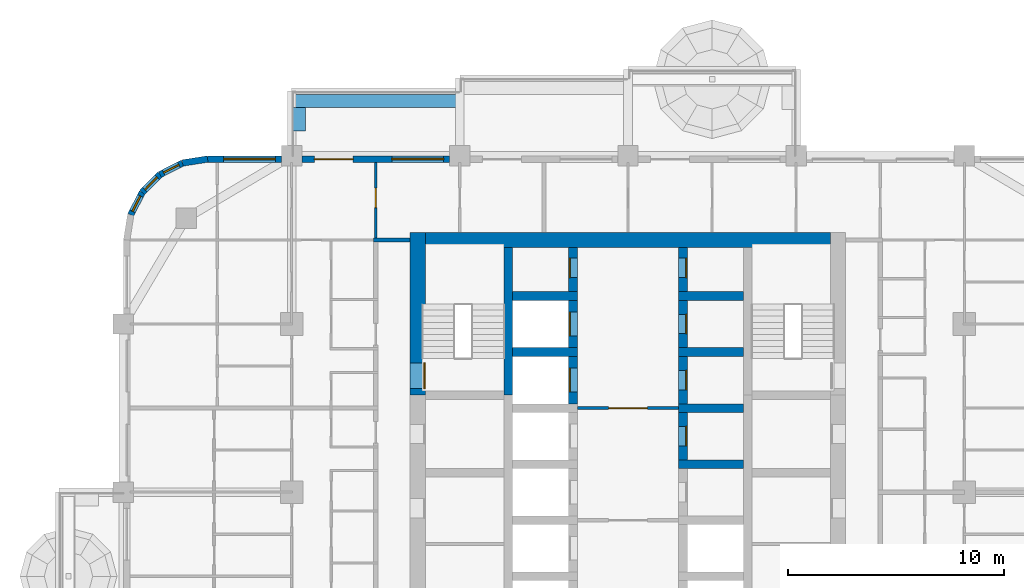
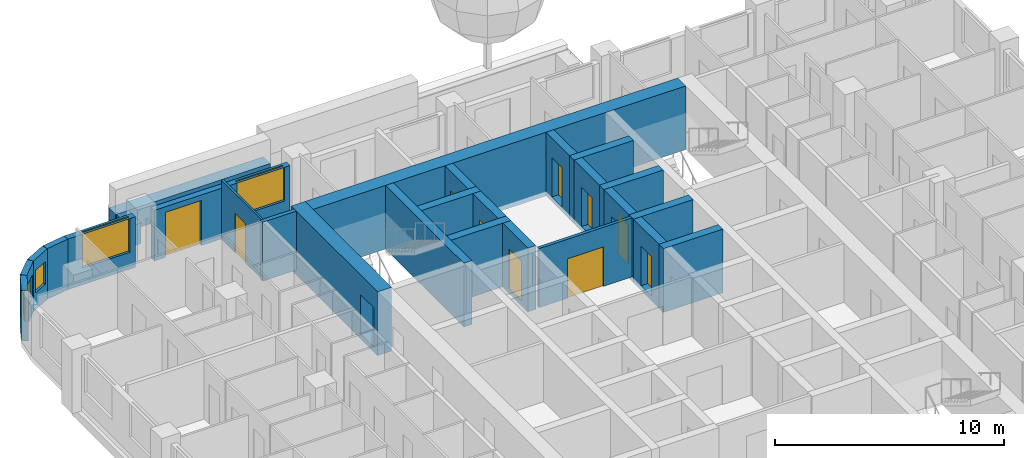
# One storey, part 11 of 18: 27 walls, 11 doors, 5 windows, 16 openings.
"""IFC4 building model written with IfcOpenShell, lengths in metres."""

from ifc_helpers import new_model, si_unit, direction, frame, frame_2d, origin, place, context, subcontext, project, spatial, rectangle, extrude, material, layer, layer_set, type_object, element, fill, save


model = new_model("IFC4")

# Units and contexts
model_context = context("Model", 3, precision=1e-05, world=origin(), true_north=direction((0.0, 1.0)))
body_context = subcontext(model_context, "Body", "Model", "MODEL_VIEW")
ifc_project = project(units=[si_unit("LENGTHUNIT", "METRE"), si_unit("AREAUNIT", "SQUARE_METRE"), si_unit("VOLUMEUNIT", "CUBIC_METRE"), si_unit("PLANEANGLEUNIT", "RADIAN"), si_unit("MASSUNIT", "GRAM", prefix="KILO")], contexts=[model_context])

# Site, building, storey
site_placement = place(None, origin())
site = spatial("IfcSite", under=ifc_project, at=site_placement, CompositionType="ELEMENT")
building_placement = place(site_placement, origin())
building = spatial("IfcBuilding", under=site, at=building_placement, Name="Ludao Terraces", CompositionType="ELEMENT")
storey_placement = place(building_placement, frame((0.0, 0.0, 58.0)))
storey = spatial("IfcBuildingStorey", under=building, at=storey_placement, Name="L15", CompositionType="ELEMENT", Elevation=58.0)

# Wall, opening, door
ifc_material_1 = material(Name="Concrete C70", Category="concrete")
ifc_layer_1 = layer(ifc_material_1, 0.699951171875)
ifc_layer_set_1 = layer_set([ifc_layer_1], Name="Core wall 700 C70")
wall_type_1 = type_object("IfcWallType", Name="Core wall 700 C70", PredefinedType="SOLIDWALL", material=ifc_layer_set_1)
wall_1_placement = place(storey_placement, frame((75.25, 77.300048828125, -0.25), z_axis=(0.0, 0.0, 1.0), x_axis=(0.0, 1.0, 0.0)))
wall_1 = element("IfcWall", 1, at=wall_1_placement, inside=storey, type_object=wall_type_1, Name="Core wall L15 outer-W-S1", PredefinedType="SOLIDWALL", context=body_context, shape_type="SweptSolid", body=[
    extrude(rectangle(XDim=7.550048828125, YDim=0.699951171875, at=frame_2d((3.77490234375, 0.0))), origin(), (0.0, 0.0, 1.0), 3.39990234375),
])
opening_1_placement = place(wall_1_placement, frame((0.300048828125, 0.0, 0.25)))
opening_1 = element("IfcOpeningElement", 2, at=opening_1_placement, cuts=wall_1, Name="Opening R04-131", PredefinedType="OPENING", context=body_context, shape_type="SweptSolid", body=[
    extrude(rectangle(XDim=1.199951171875, YDim=2.10009765625, at=frame_2d((0.60009765625, 1.050048828125))), frame((0.0, 0.35986328125, 0.0), z_axis=(0.0, -1.0, 0.0), x_axis=(1.0, 0.0, 0.0)), (0.0, 0.0, 1.0), 0.719970703125),
])
ifc_material_2 = material(Name="Steel Q235", Category="steel")
door_type_1 = type_object("IfcDoorType", Name="INT Stair door 1200", OperationType="DOUBLE_DOOR_SINGLE_SWING", PredefinedType="DOOR", material=ifc_material_2)
door_1_placement = place(opening_1_placement, origin())
door_1 = element("IfcDoor", 3, at=door_1_placement, inside=storey, type_object=door_type_1, Name="DOOR 131", OperationType="DOUBLE_DOOR_SINGLE_SWING", OverallHeight=2.10009765625, OverallWidth=1.199951171875, PredefinedType="DOOR", context=body_context, shape_type="SweptSolid", body=[
    extrude(rectangle(XDim=1.199951171875, YDim=2.10009765625, at=frame_2d((0.60009765625, 1.050048828125))), frame((0.0, -0.28515625, 0.0), z_axis=(0.0, -1.0, 0.0), x_axis=(1.0, 0.0, 0.0)), (0.0, 0.0, 1.0), 0.050048828125),
])
fill(opening_1, door_1)

# Walls
wall_2_placement = place(storey_placement, frame((75.60009765625, 84.5, -0.25), z_axis=(0.0, 0.0, 1.0), x_axis=(1.0, 0.0, 0.0)))
element("IfcWall", 4, at=wall_2_placement, inside=storey, type_object=wall_type_1, Name="Core wall L15 outer-N", PredefinedType="SOLIDWALL", context=body_context, shape_type="SweptSolid", body=[
    extrude(rectangle(XDim=18.7998046875, YDim=0.699951171875, at=frame_2d((9.39990234375, 0.0))), origin(), (0.0, 0.0, 1.0), 3.39990234375),
])
ifc_material_3 = material(Name="Concrete C40", Category="concrete")
ifc_layer_2 = layer(ifc_material_3, 0.60009765625)
ifc_layer_set_2 = layer_set([ifc_layer_2], Name="ENV Planter trough 600")
wall_type_2 = type_object("IfcWallType", Name="ENV Planter trough 600", PredefinedType="USERDEFINED", material=ifc_layer_set_2)
wall_3_placement = place(storey_placement, frame((69.39990234375, 90.949951171875, 0.0), z_axis=(0.0, 0.0, 1.0), x_axis=(1.0, 0.0, 0.0)))
element("IfcWall", 5, at=wall_3_placement, inside=storey, type_object=wall_type_2, Name="PL-L15-N1", ObjectType="PLANTER", PredefinedType="USERDEFINED", context=body_context, shape_type="SweptSolid", body=[
    extrude(rectangle(XDim=7.800048828125, YDim=0.60009765625, at=frame_2d((3.89990234375, 0.0))), origin(), (0.0, 0.0, 1.0), 1.10009765625),
])
wall_4_placement = place(storey_placement, frame((69.75, 90.64990234375, 0.0), z_axis=(0.0, 0.0, 1.0), x_axis=(0.0, -1.0, 0.0)))
element("IfcWall", 6, at=wall_4_placement, inside=storey, type_object=wall_type_2, Name="PL-L15-N1-SA", ObjectType="PLANTER", PredefinedType="USERDEFINED", context=body_context, shape_type="SweptSolid", body=[
    extrude(rectangle(XDim=1.099853515625, YDim=0.60009765625, at=frame_2d((0.5498046875, 0.0))), origin(), (0.0, 0.0, 1.0), 1.10009765625),
])

# Wall, opening, window
ifc_material_4 = material(Name="Granite cladding", Category="masonry")
ifc_layer_3 = layer(ifc_material_4, 0.0400390625, Category="stone")
ifc_material_5 = material(Name="Mineral wool")
ifc_layer_4 = layer(ifc_material_5, 0.06005859375)
ifc_layer_5 = layer(ifc_material_3, 0.199951171875, Category="concrete")
ifc_layer_set_3 = layer_set([ifc_layer_3, ifc_layer_4, ifc_layer_5], Name="ENV Stone-clad wall 300")
wall_type_3 = type_object("IfcWallType", Name="ENV Stone-clad wall 300", PredefinedType="SOLIDWALL", material=ifc_layer_set_3)
wall_5_placement = place(storey_placement, frame((65.5, 88.25, 0.0), z_axis=(0.0, 0.0, 1.0), x_axis=(1.0, 0.0, 0.0)))
wall_5 = element("IfcWall", 7, at=wall_5_placement, inside=storey, type_object=wall_type_3, Name="EW-L15-N1", PredefinedType="SOLIDWALL", context=body_context, shape_type="SweptSolid", body=[
    extrude(rectangle(XDim=3.425048828125, YDim=0.300048828125, at=frame_2d((1.71240234375, 0.0))), origin(), (0.0, 0.0, 1.0), 2.699951171875),
])
opening_2_placement = place(wall_5_placement, frame((0.75, 0.0, 0.89990234375)))
opening_2 = element("IfcOpeningElement", 8, at=opening_2_placement, cuts=wall_5, Name="Opening W1", PredefinedType="OPENING", context=body_context, shape_type="SweptSolid", body=[
    extrude(rectangle(XDim=2.39990234375, YDim=1.800048828125, at=frame_2d((1.199951171875, 0.89990234375))), frame((0.0, 0.16015625, 0.0), z_axis=(0.0, -1.0, 0.0), x_axis=(1.0, 0.0, 0.0)), (0.0, 0.0, 1.0), 0.320068359375),
])
ifc_material_6 = material(Name="Clear glass in aluminium frame", Category="aluminium")
ifc_layer_6 = layer(ifc_material_6, 0.06005859375)
ifc_layer_set_4 = layer_set([ifc_layer_6], Name="ENV Window W1 2400x1800")
window_type_1 = type_object("IfcWindowType", Name="ENV Window W1 2400x1800", PartitioningType="DOUBLE_PANEL_VERTICAL", PredefinedType="WINDOW", material=ifc_layer_set_4)
window_1_placement = place(opening_2_placement, origin())
window_1 = element("IfcWindow", 9, at=window_1_placement, inside=storey, type_object=window_type_1, Name="W-L15-N1-1", OverallHeight=1.800048828125, OverallWidth=2.39990234375, PartitioningType="DOUBLE_PANEL_VERTICAL", PredefinedType="WINDOW", context=body_context, shape_type="SweptSolid", body=[
    extrude(rectangle(XDim=2.39990234375, YDim=1.800048828125, at=frame_2d((1.199951171875, 0.89990234375))), frame((0.0, 0.030029296875, 0.0), z_axis=(0.0, -1.0, 0.0), x_axis=(1.0, 0.0, 0.0)), (0.0, 0.0, 1.0), 0.06005859375),
])
fill(opening_2, window_1)

# Wall, openings, door, window
wall_6_placement = place(storey_placement, frame((69.875, 88.25, 0.0), z_axis=(0.0, 0.0, 1.0), x_axis=(1.0, 0.0, 0.0)))
wall_6 = element("IfcWall", 10, at=wall_6_placement, inside=storey, type_object=wall_type_3, Name="EW-L15-N2", PredefinedType="SOLIDWALL", context=body_context, shape_type="SweptSolid", body=[
    extrude(rectangle(XDim=6.85009765625, YDim=0.300048828125, at=frame_2d((3.425048828125, 0.0))), origin(), (0.0, 0.0, 1.0), 2.699951171875),
])
opening_3_placement = place(wall_6_placement, frame((0.574951171875, 0.0, 0.0)))
opening_3 = element("IfcOpeningElement", 11, at=opening_3_placement, cuts=wall_6, Name="Opening BD", PredefinedType="OPENING", context=body_context, shape_type="SweptSolid", body=[
    extrude(rectangle(XDim=1.800048828125, YDim=2.39990234375, at=frame_2d((0.89990234375, 1.199951171875))), frame((0.0, 0.16015625, 0.0), z_axis=(0.0, -1.0, 0.0), x_axis=(1.0, 0.0, 0.0)), (0.0, 0.0, 1.0), 0.320068359375),
])
opening_4_placement = place(wall_6_placement, frame((4.175048828125, 0.0, 0.89990234375)))
opening_4 = element("IfcOpeningElement", 12, at=opening_4_placement, cuts=wall_6, Name="Opening W1", PredefinedType="OPENING", context=body_context, shape_type="SweptSolid", body=[
    extrude(rectangle(XDim=2.39990234375, YDim=1.800048828125, at=frame_2d((1.199951171875, 0.89990234375))), frame((0.0, 0.16015625, 0.0), z_axis=(0.0, -1.0, 0.0), x_axis=(1.0, 0.0, 0.0)), (0.0, 0.0, 1.0), 0.320068359375),
])
ifc_material_7 = material(Name="Aluminium glazed door", Category="aluminium")
ifc_layer_7 = layer(ifc_material_7, 0.06005859375)
ifc_layer_set_5 = layer_set([ifc_layer_7], Name="ENV Balcony door BD 1800x2400")
door_type_2 = type_object("IfcDoorType", Name="ENV Balcony door BD 1800x2400", OperationType="DOUBLE_DOOR_SINGLE_SWING", PredefinedType="DOOR", material=ifc_layer_set_5)
door_2_placement = place(opening_3_placement, origin())
door_2 = element("IfcDoor", 13, at=door_2_placement, inside=storey, type_object=door_type_2, Name="BD-L15-N2-1", OperationType="DOUBLE_DOOR_SINGLE_SWING", OverallHeight=2.39990234375, OverallWidth=1.800048828125, PredefinedType="DOOR", context=body_context, shape_type="SweptSolid", body=[
    extrude(rectangle(XDim=1.800048828125, YDim=2.39990234375, at=frame_2d((0.89990234375, 1.199951171875))), frame((0.0, 0.02490234375, 0.0), z_axis=(0.0, -1.0, 0.0), x_axis=(1.0, 0.0, 0.0)), (0.0, 0.0, 1.0), 0.050048828125),
])
fill(opening_3, door_2)
window_2_placement = place(opening_4_placement, origin())
window_2 = element("IfcWindow", 14, at=window_2_placement, inside=storey, type_object=window_type_1, Name="W-L15-N2-2", OverallHeight=1.800048828125, OverallWidth=2.39990234375, PartitioningType="DOUBLE_PANEL_VERTICAL", PredefinedType="WINDOW", context=body_context, shape_type="SweptSolid", body=[
    extrude(rectangle(XDim=2.39990234375, YDim=1.800048828125, at=frame_2d((1.199951171875, 0.89990234375))), frame((0.0, 0.030029296875, 0.0), z_axis=(0.0, -1.0, 0.0), x_axis=(1.0, 0.0, 0.0)), (0.0, 0.0, 1.0), 0.06005859375),
])
fill(opening_4, window_2)

# Wall
wall_7_placement = place(storey_placement, frame((65.5, 88.25, 0.0), z_axis=(0.0, 0.0, 1.0), x_axis=(-0.987678452879, -0.156496880861, 0.0)))
element("IfcWall", 15, at=wall_7_placement, inside=storey, type_object=wall_type_3, Name="EW-L15-NW1", PredefinedType="SOLIDWALL", context=body_context, shape_type="SweptSolid", body=[
    extrude(rectangle(XDim=1.173095703125, YDim=0.300048828125, at=frame_2d((0.58642578125, 0.0))), origin(), (0.0, 0.0, 1.0), 2.699951171875),
])

# Wall, opening, window
wall_8_placement = place(storey_placement, frame((64.34130859375, 88.06640625, 0.0), z_axis=(0.0, 0.0, 1.0), x_axis=(-0.890988677504, -0.454025524128, 0.0)))
wall_8 = element("IfcWall", 16, at=wall_8_placement, inside=storey, type_object=wall_type_3, Name="EW-L15-NW2", PredefinedType="SOLIDWALL", context=body_context, shape_type="SweptSolid", body=[
    extrude(rectangle(XDim=1.17333984375, YDim=0.300048828125, at=frame_2d((0.586669921875, 0.0))), origin(), (0.0, 0.0, 1.0), 2.699951171875),
])
opening_5_placement = place(wall_8_placement, frame((0.1865234375, 0.0, 0.89990234375)))
opening_5 = element("IfcOpeningElement", 17, at=opening_5_placement, cuts=wall_8, Name="Opening W3", PredefinedType="OPENING", context=body_context, shape_type="SweptSolid", body=[
    extrude(rectangle(XDim=0.800048828125, YDim=1.199951171875, at=frame_2d((0.39990234375, 0.60009765625))), frame((0.0, 0.16015625, 0.0), z_axis=(0.0, -1.0, 0.0), x_axis=(1.0, 0.0, 0.0)), (0.0, 0.0, 1.0), 0.320068359375),
])
ifc_layer_8 = layer(ifc_material_6, 0.06005859375)
ifc_layer_set_6 = layer_set([ifc_layer_8], Name="ENV Window W3 800x1200")
window_type_2 = type_object("IfcWindowType", Name="ENV Window W3 800x1200", PartitioningType="SINGLE_PANEL", PredefinedType="WINDOW", material=ifc_layer_set_6)
window_3_placement = place(opening_5_placement, origin())
window_3 = element("IfcWindow", 18, at=window_3_placement, inside=storey, type_object=window_type_2, Name="W-L15-NW2", OverallHeight=1.199951171875, OverallWidth=0.800048828125, PartitioningType="SINGLE_PANEL", PredefinedType="WINDOW", context=body_context, shape_type="SweptSolid", body=[
    extrude(rectangle(XDim=0.800048828125, YDim=1.199951171875, at=frame_2d((0.39990234375, 0.60009765625))), frame((0.0, 0.030029296875, 0.0), z_axis=(0.0, -1.0, 0.0), x_axis=(1.0, 0.0, 0.0)), (0.0, 0.0, 1.0), 0.06005859375),
])
fill(opening_5, window_3)

wall_9_placement = place(storey_placement, frame((63.2958984375, 87.53369140625, 0.0), z_axis=(0.0, 0.0, 1.0), x_axis=(-0.707106781187, -0.707106781187, 0.0)))
wall_9 = element("IfcWall", 19, at=wall_9_placement, inside=storey, type_object=wall_type_3, Name="EW-L15-NW3", PredefinedType="SOLIDWALL", context=body_context, shape_type="SweptSolid", body=[
    extrude(rectangle(XDim=1.173095703125, YDim=0.300048828125, at=frame_2d((0.58642578125, 0.0))), origin(), (0.0, 0.0, 1.0), 2.699951171875),
])
opening_6_placement = place(wall_9_placement, frame((0.1865234375, 0.0, 0.89990234375)))
opening_6 = element("IfcOpeningElement", 20, at=opening_6_placement, cuts=wall_9, Name="Opening W3", PredefinedType="OPENING", context=body_context, shape_type="SweptSolid", body=[
    extrude(rectangle(XDim=0.800048828125, YDim=1.199951171875, at=frame_2d((0.39990234375, 0.60009765625))), frame((0.0, 0.16015625, 0.0), z_axis=(0.0, -1.0, 0.0), x_axis=(1.0, 0.0, 0.0)), (0.0, 0.0, 1.0), 0.320068359375),
])
window_4_placement = place(opening_6_placement, origin())
window_4 = element("IfcWindow", 21, at=window_4_placement, inside=storey, type_object=window_type_2, Name="W-L15-NW3", OverallHeight=1.199951171875, OverallWidth=0.800048828125, PartitioningType="SINGLE_PANEL", PredefinedType="WINDOW", context=body_context, shape_type="SweptSolid", body=[
    extrude(rectangle(XDim=0.800048828125, YDim=1.199951171875, at=frame_2d((0.39990234375, 0.60009765625))), frame((0.0, 0.030029296875, 0.0), z_axis=(0.0, -1.0, 0.0), x_axis=(1.0, 0.0, 0.0)), (0.0, 0.0, 1.0), 0.06005859375),
])
fill(opening_6, window_4)

wall_10_placement = place(storey_placement, frame((62.46630859375, 86.7041015625, 0.0), z_axis=(0.0, 0.0, 1.0), x_axis=(-0.454025524128, -0.890988677504, 0.0)))
wall_10 = element("IfcWall", 22, at=wall_10_placement, inside=storey, type_object=wall_type_3, Name="EW-L15-NW4", PredefinedType="SOLIDWALL", context=body_context, shape_type="SweptSolid", body=[
    extrude(rectangle(XDim=1.17333984375, YDim=0.300048828125, at=frame_2d((0.586669921875, 0.0))), origin(), (0.0, 0.0, 1.0), 2.699951171875),
])
opening_7_placement = place(wall_10_placement, frame((0.1865234375, 0.0, 0.89990234375)))
opening_7 = element("IfcOpeningElement", 23, at=opening_7_placement, cuts=wall_10, Name="Opening W3", PredefinedType="OPENING", context=body_context, shape_type="SweptSolid", body=[
    extrude(rectangle(XDim=0.800048828125, YDim=1.199951171875, at=frame_2d((0.39990234375, 0.60009765625))), frame((0.0, 0.16015625, 0.0), z_axis=(0.0, -1.0, 0.0), x_axis=(1.0, 0.0, 0.0)), (0.0, 0.0, 1.0), 0.320068359375),
])
window_5_placement = place(opening_7_placement, origin())
window_5 = element("IfcWindow", 24, at=window_5_placement, inside=storey, type_object=window_type_2, Name="W-L15-NW4", OverallHeight=1.199951171875, OverallWidth=0.800048828125, PartitioningType="SINGLE_PANEL", PredefinedType="WINDOW", context=body_context, shape_type="SweptSolid", body=[
    extrude(rectangle(XDim=0.800048828125, YDim=1.199951171875, at=frame_2d((0.39990234375, 0.60009765625))), frame((0.0, 0.030029296875, 0.0), z_axis=(0.0, -1.0, 0.0), x_axis=(1.0, 0.0, 0.0)), (0.0, 0.0, 1.0), 0.06005859375),
])
fill(opening_7, window_5)

# Wall, opening, door
ifc_material_8 = material(Name="Fire-rated gypsum plasterboard", Category="gypsum")
ifc_layer_9 = layer(ifc_material_8, 0.012451171875, Category="gypsum")
ifc_layer_10 = layer(ifc_material_5, 0.10009765625, Name="insulation")
ifc_layer_11 = layer(ifc_material_2, 0.02490234375, Name="stud")
ifc_layer_12 = layer(ifc_material_8, 0.012451171875, Category="gypsum")
ifc_layer_set_7 = layer_set([ifc_layer_9, ifc_layer_10, ifc_layer_11, ifc_layer_12], Name="INT Core partition 150")
wall_type_4 = type_object("IfcWallType", Name="INT Core partition 150", PredefinedType="PARTITIONING", material=ifc_layer_set_7)
wall_11_placement = place(storey_placement, frame((82.650146484375, 76.699951171875, 0.0), z_axis=(0.0, 0.0, 1.0), x_axis=(1.0, 0.0, 0.0)))
wall_11 = element("IfcWall", 25, at=wall_11_placement, inside=storey, type_object=wall_type_4, Name="PW-L15-PW063", PredefinedType="PARTITIONING", context=body_context, shape_type="SweptSolid", body=[
    extrude(rectangle(XDim=4.699951171875, YDim=0.14990234375, at=frame_2d((2.35009765625, 0.0))), origin(), (0.0, 0.0, 1.0), 3.14990234375),
])
opening_8_placement = place(wall_11_placement, frame((1.449951171875, 0.0, 0.0)))
opening_8 = element("IfcOpeningElement", 26, at=opening_8_placement, cuts=wall_11, Name="Opening R04-125", PredefinedType="OPENING", context=body_context, shape_type="SweptSolid", body=[
    extrude(rectangle(XDim=1.800048828125, YDim=2.10009765625, at=frame_2d((0.89990234375, 1.050048828125))), frame((0.0, 0.0849609375, 0.0), z_axis=(0.0, -1.0, 0.0), x_axis=(1.0, 0.0, 0.0)), (0.0, 0.0, 1.0), 0.169921875),
])
door_type_3 = type_object("IfcDoorType", Name="INT Fire lobby door 1800", OperationType="DOUBLE_DOOR_SINGLE_SWING", PredefinedType="DOOR", material=ifc_material_2)
door_3_placement = place(opening_8_placement, origin())
door_3 = element("IfcDoor", 27, at=door_3_placement, inside=storey, type_object=door_type_3, Name="DOOR 125", OperationType="DOUBLE_DOOR_SINGLE_SWING", OverallHeight=2.10009765625, OverallWidth=1.800048828125, PredefinedType="DOOR", context=body_context, shape_type="SweptSolid", body=[
    extrude(rectangle(XDim=1.800048828125, YDim=2.10009765625, at=frame_2d((0.89990234375, 1.050048828125))), frame((0.0, 0.02490234375, 0.0), z_axis=(0.0, -1.0, 0.0), x_axis=(1.0, 0.0, 0.0)), (0.0, 0.0, 1.0), 0.050048828125),
])
fill(opening_8, door_3)

# Wall
ifc_material_9 = material(Name="Autoclaved aerated concrete block B06 A3.5", Category="concrete")
ifc_layer_13 = layer(ifc_material_9, 0.199951171875)
ifc_layer_set_8 = layer_set([ifc_layer_13], Name="INT Entrance wall 200")
wall_type_5 = type_object("IfcWallType", Name="INT Entrance wall 200", PredefinedType="PARTITIONING", material=ifc_layer_set_8)
wall_12_placement = place(storey_placement, frame((73.2001953125, 84.5, 0.0), z_axis=(0.0, 0.0, 1.0), x_axis=(1.0, 0.0, 0.0)))
element("IfcWall", 28, at=wall_12_placement, inside=storey, type_object=wall_type_5, Name="PW-L15-PW077", PredefinedType="PARTITIONING", context=body_context, shape_type="SweptSolid", body=[
    extrude(rectangle(XDim=1.699951171875, YDim=0.199951171875, at=frame_2d((0.85009765625, 0.0))), origin(), (0.0, 0.0, 1.0), 3.14990234375),
])

# Wall, opening, door
ifc_material_10 = material(Name="Gypsum plasterboard", Category="gypsum")
ifc_layer_14 = layer(ifc_material_10, 0.012451171875, Category="gypsum")
ifc_layer_15 = layer(ifc_material_5, 0.06005859375, Name="insulation")
ifc_layer_16 = layer(ifc_material_2, 0.014892578125, Name="stud")
ifc_layer_17 = layer(ifc_material_10, 0.012451171875, Category="gypsum")
ifc_layer_set_9 = layer_set([ifc_layer_14, ifc_layer_15, ifc_layer_16, ifc_layer_17], Name="INT Partition 100")
wall_type_6 = type_object("IfcWallType", Name="INT Partition 100", PredefinedType="PARTITIONING", material=ifc_layer_set_9)
wall_13_placement = place(storey_placement, frame((73.300048828125, 84.60009765625, 0.0), z_axis=(0.0, 0.0, 1.0), x_axis=(0.0, 1.0, 0.0)))
wall_13 = element("IfcWall", 29, at=wall_13_placement, inside=storey, type_object=wall_type_6, Name="PW-L15-PW090", PredefinedType="PARTITIONING", context=body_context, shape_type="SweptSolid", body=[
    extrude(rectangle(XDim=3.5, YDim=0.10009765625, at=frame_2d((1.75, 0.0))), origin(), (0.0, 0.0, 1.0), 3.14990234375),
])
opening_9_placement = place(wall_13_placement, frame((1.39990234375, 0.0, 0.0)))
opening_9 = element("IfcOpeningElement", 30, at=opening_9_placement, cuts=wall_13, Name="Opening R04-157", PredefinedType="OPENING", context=body_context, shape_type="SweptSolid", body=[
    extrude(rectangle(XDim=0.89990234375, YDim=2.10009765625, at=frame_2d((0.449951171875, 1.050048828125))), frame((0.0, 0.06005859375, 0.0), z_axis=(0.0, -1.0, 0.0), x_axis=(1.0, 0.0, 0.0)), (0.0, 0.0, 1.0), 0.1201171875),
])
ifc_material_11 = material(Name="Timber door leaf", Category="wood")
door_type_4 = type_object("IfcDoorType", Name="INT Room door 900", OperationType="SINGLE_SWING_LEFT", PredefinedType="DOOR", material=ifc_material_11)
door_4_placement = place(opening_9_placement, origin())
door_4 = element("IfcDoor", 31, at=door_4_placement, inside=storey, type_object=door_type_4, Name="DOOR 157", OperationType="SINGLE_SWING_LEFT", OverallHeight=2.10009765625, OverallWidth=0.89990234375, PredefinedType="DOOR", context=body_context, shape_type="SweptSolid", body=[
    extrude(rectangle(XDim=0.89990234375, YDim=2.10009765625, at=frame_2d((0.449951171875, 1.050048828125))), frame((0.0, 0.02490234375, 0.0), z_axis=(0.0, -1.0, 0.0), x_axis=(1.0, 0.0, 0.0)), (0.0, 0.0, 1.0), 0.050048828125),
])
fill(opening_9, door_4)

# Wall
ifc_material_12 = material(Name="Concrete C60", Category="concrete")
ifc_layer_18 = layer(ifc_material_12, 0.39990234375)
ifc_layer_set_10 = layer_set([ifc_layer_18], Name="Shaft wall 400 C60")
wall_type_7 = type_object("IfcWallType", Name="Shaft wall 400 C60", PredefinedType="SOLIDWALL", material=ifc_layer_set_10)
wall_14_placement = place(storey_placement, frame((79.449951171875, 77.300048828125, -0.25), z_axis=(0.0, 0.0, 1.0), x_axis=(0.0, 1.0, 0.0)))
element("IfcWall", 32, at=wall_14_placement, inside=storey, type_object=wall_type_7, Name="Core wall L15 back-W-S1", PredefinedType="SOLIDWALL", context=body_context, shape_type="SweptSolid", body=[
    extrude(rectangle(XDim=6.849853515625, YDim=0.39990234375, at=frame_2d((3.4248046875, 0.0))), origin(), (0.0, 0.0, 1.0), 3.39990234375),
])

# Wall, opening, door
wall_15_placement = place(storey_placement, frame((82.449951171875, 76.89990234375, -0.25), z_axis=(0.0, 0.0, 1.0), x_axis=(0.0, 1.0, 0.0)))
wall_15 = element("IfcWall", 33, at=wall_15_placement, inside=storey, type_object=wall_type_7, Name="Core wall L15 front-W7", PredefinedType="SOLIDWALL", context=body_context, shape_type="SweptSolid", body=[
    extrude(rectangle(XDim=2.2001953125, YDim=0.39990234375, at=frame_2d((1.10009765625, 0.0))), origin(), (0.0, 0.0, 1.0), 3.39990234375),
])
opening_10_placement = place(wall_15_placement, frame((0.550048828125, 0.0, 0.25)))
opening_10 = element("IfcOpeningElement", 34, at=opening_10_placement, cuts=wall_15, Name="Opening LD-FF1", PredefinedType="OPENING", context=body_context, shape_type="SweptSolid", body=[
    extrude(rectangle(XDim=1.10009765625, YDim=2.10009765625, at=frame_2d((0.550048828125, 1.050048828125))), frame((0.0, 0.2099609375, 0.0), z_axis=(0.0, -1.0, 0.0), x_axis=(1.0, 0.0, 0.0)), (0.0, 0.0, 1.0), 0.419921875),
])
ifc_material_13 = material(Name="Stainless steel 304", Category="steel")
door_type_5 = type_object("IfcDoorType", Name="INT Lift landing door 1100", OperationType="SLIDING_TO_LEFT", PredefinedType="DOOR", material=ifc_material_13)
door_5_placement = place(opening_10_placement, origin())
door_5 = element("IfcDoor", 35, at=door_5_placement, inside=storey, type_object=door_type_5, Name="LANDING DOOR FF1 L15", OperationType="SLIDING_TO_LEFT", OverallHeight=2.10009765625, OverallWidth=1.10009765625, PredefinedType="DOOR", context=body_context, shape_type="SweptSolid", body=[
    extrude(rectangle(XDim=1.10009765625, YDim=2.10009765625, at=frame_2d((0.550048828125, 1.050048828125))), frame((0.0, 0.18505859375, 0.0), z_axis=(0.0, -1.0, 0.0), x_axis=(1.0, 0.0, 0.0)), (0.0, 0.0, 1.0), 0.050048828125),
])
fill(opening_10, door_5)

# Wall
wall_16_placement = place(storey_placement, frame((79.64990234375, 79.300048828125, -0.25), z_axis=(0.0, 0.0, 1.0), x_axis=(1.0, 0.0, 0.0)))
element("IfcWall", 36, at=wall_16_placement, inside=storey, type_object=wall_type_7, Name="Core wall L15 div-W8", PredefinedType="SOLIDWALL", context=body_context, shape_type="SweptSolid", body=[
    extrude(rectangle(XDim=3.0, YDim=0.39990234375, at=frame_2d((1.5, 0.0))), origin(), (0.0, 0.0, 1.0), 3.39990234375),
])

# Wall, opening, door
wall_17_placement = place(storey_placement, frame((82.449951171875, 79.5, -0.25), z_axis=(0.0, 0.0, 1.0), x_axis=(0.0, 1.0, 0.0)))
wall_17 = element("IfcWall", 37, at=wall_17_placement, inside=storey, type_object=wall_type_7, Name="Core wall L15 front-W8", PredefinedType="SOLIDWALL", context=body_context, shape_type="SweptSolid", body=[
    extrude(rectangle(XDim=2.199951171875, YDim=0.39990234375, at=frame_2d((1.10009765625, 0.0))), origin(), (0.0, 0.0, 1.0), 3.39990234375),
])
opening_11_placement = place(wall_17_placement, frame((0.550048828125, 0.0, 0.25)))
opening_11 = element("IfcOpeningElement", 38, at=opening_11_placement, cuts=wall_17, Name="Opening LD-FF2", PredefinedType="OPENING", context=body_context, shape_type="SweptSolid", body=[
    extrude(rectangle(XDim=1.10009765625, YDim=2.10009765625, at=frame_2d((0.550048828125, 1.050048828125))), frame((0.0, 0.2099609375, 0.0), z_axis=(0.0, -1.0, 0.0), x_axis=(1.0, 0.0, 0.0)), (0.0, 0.0, 1.0), 0.419921875),
])
door_6_placement = place(opening_11_placement, origin())
door_6 = element("IfcDoor", 39, at=door_6_placement, inside=storey, type_object=door_type_5, Name="LANDING DOOR FF2 L15", OperationType="SLIDING_TO_LEFT", OverallHeight=2.10009765625, OverallWidth=1.10009765625, PredefinedType="DOOR", context=body_context, shape_type="SweptSolid", body=[
    extrude(rectangle(XDim=1.10009765625, YDim=2.10009765625, at=frame_2d((0.550048828125, 1.050048828125))), frame((0.0, 0.18505859375, 0.0), z_axis=(0.0, -1.0, 0.0), x_axis=(1.0, 0.0, 0.0)), (0.0, 0.0, 1.0), 0.050048828125),
])
fill(opening_11, door_6)

# Wall
wall_18_placement = place(storey_placement, frame((79.64990234375, 81.89990234375, -0.25), z_axis=(0.0, 0.0, 1.0), x_axis=(1.0, 0.0, 0.0)))
element("IfcWall", 40, at=wall_18_placement, inside=storey, type_object=wall_type_7, Name="Core wall L15 div-W9", PredefinedType="SOLIDWALL", context=body_context, shape_type="SweptSolid", body=[
    extrude(rectangle(XDim=3.0, YDim=0.39990234375, at=frame_2d((1.5, 0.0))), origin(), (0.0, 0.0, 1.0), 3.39990234375),
])

# Wall, opening, door
wall_19_placement = place(storey_placement, frame((82.449951171875, 82.10009765625, -0.25), z_axis=(0.0, 0.0, 1.0), x_axis=(0.0, 1.0, 0.0)))
wall_19 = element("IfcWall", 41, at=wall_19_placement, inside=storey, type_object=wall_type_7, Name="Core wall L15 front-W9", PredefinedType="SOLIDWALL", context=body_context, shape_type="SweptSolid", body=[
    extrude(rectangle(XDim=2.0498046875, YDim=0.39990234375, at=frame_2d((1.02490234375, 0.0))), origin(), (0.0, 0.0, 1.0), 3.39990234375),
])
opening_12_placement = place(wall_19_placement, frame((0.64990234375, 0.0, 0.25)))
opening_12 = element("IfcOpeningElement", 42, at=opening_12_placement, cuts=wall_19, Name="Opening R04-148", PredefinedType="OPENING", context=body_context, shape_type="SweptSolid", body=[
    extrude(rectangle(XDim=0.89990234375, YDim=2.10009765625, at=frame_2d((0.449951171875, 1.050048828125))), frame((0.0, 0.2099609375, 0.0), z_axis=(0.0, -1.0, 0.0), x_axis=(1.0, 0.0, 0.0)), (0.0, 0.0, 1.0), 0.419921875),
])
door_7_placement = place(opening_12_placement, origin())
door_7 = element("IfcDoor", 43, at=door_7_placement, inside=storey, type_object=door_type_4, Name="DOOR 148", OperationType="SINGLE_SWING_RIGHT", OverallHeight=2.10009765625, OverallWidth=0.89990234375, PredefinedType="DOOR", context=body_context, shape_type="SweptSolid", body=[
    extrude(rectangle(XDim=0.89990234375, YDim=2.10009765625, at=frame_2d((0.449951171875, 1.050048828125))), frame((0.0, 0.18505859375, 0.0), z_axis=(0.0, -1.0, 0.0), x_axis=(1.0, 0.0, 0.0)), (0.0, 0.0, 1.0), 0.050048828125),
])
fill(opening_12, door_7)

# Wall
wall_20_placement = place(storey_placement, frame((87.35009765625, 74.10009765625, -0.25), z_axis=(0.0, 0.0, 1.0), x_axis=(1.0, 0.0, 0.0)))
element("IfcWall", 44, at=wall_20_placement, inside=storey, type_object=wall_type_7, Name="Core wall L15 div-E6", PredefinedType="SOLIDWALL", context=body_context, shape_type="SweptSolid", body=[
    extrude(rectangle(XDim=3.0, YDim=0.39990234375, at=frame_2d((1.5, 0.0))), origin(), (0.0, 0.0, 1.0), 3.39990234375),
])

# Wall, opening, door
wall_21_placement = place(storey_placement, frame((87.550048828125, 74.300048828125, -0.25), z_axis=(0.0, 0.0, 1.0), x_axis=(0.0, 1.0, 0.0)))
wall_21 = element("IfcWall", 45, at=wall_21_placement, inside=storey, type_object=wall_type_7, Name="Core wall L15 front-E6", PredefinedType="SOLIDWALL", context=body_context, shape_type="SweptSolid", body=[
    extrude(rectangle(XDim=2.199951171875, YDim=0.39990234375, at=frame_2d((1.10009765625, 0.0))), origin(), (0.0, 0.0, 1.0), 3.39990234375),
])
opening_13_placement = place(wall_21_placement, frame((0.64990234375, 0.0, 0.25)))
opening_13 = element("IfcOpeningElement", 46, at=opening_13_placement, cuts=wall_21, Name="Opening R04-116", PredefinedType="OPENING", context=body_context, shape_type="SweptSolid", body=[
    extrude(rectangle(XDim=0.89990234375, YDim=2.10009765625, at=frame_2d((0.449951171875, 1.050048828125))), frame((0.0, 0.2099609375, 0.0), z_axis=(0.0, -1.0, 0.0), x_axis=(1.0, 0.0, 0.0)), (0.0, 0.0, 1.0), 0.419921875),
])
door_8_placement = place(opening_13_placement, origin())
door_8 = element("IfcDoor", 47, at=door_8_placement, inside=storey, type_object=door_type_4, Name="DOOR 116", OperationType="SINGLE_SWING_LEFT", OverallHeight=2.10009765625, OverallWidth=0.89990234375, PredefinedType="DOOR", context=body_context, shape_type="SweptSolid", body=[
    extrude(rectangle(XDim=0.89990234375, YDim=2.10009765625, at=frame_2d((0.449951171875, 1.050048828125))), frame((0.0, -0.134765625, 0.0), z_axis=(0.0, -1.0, 0.0), x_axis=(1.0, 0.0, 0.0)), (0.0, 0.0, 1.0), 0.050048828125),
])
fill(opening_13, door_8)

# Wall
wall_22_placement = place(storey_placement, frame((87.35009765625, 76.699951171875, -0.25), z_axis=(0.0, 0.0, 1.0), x_axis=(1.0, 0.0, 0.0)))
element("IfcWall", 48, at=wall_22_placement, inside=storey, type_object=wall_type_7, Name="Core wall L15 div-E7", PredefinedType="SOLIDWALL", context=body_context, shape_type="SweptSolid", body=[
    extrude(rectangle(XDim=3.0, YDim=0.39990234375, at=frame_2d((1.5, 0.0))), origin(), (0.0, 0.0, 1.0), 3.39990234375),
])

# Wall, opening, door
wall_23_placement = place(storey_placement, frame((87.550048828125, 76.89990234375, -0.25), z_axis=(0.0, 0.0, 1.0), x_axis=(0.0, 1.0, 0.0)))
wall_23 = element("IfcWall", 49, at=wall_23_placement, inside=storey, type_object=wall_type_7, Name="Core wall L15 front-E7", PredefinedType="SOLIDWALL", context=body_context, shape_type="SweptSolid", body=[
    extrude(rectangle(XDim=2.2001953125, YDim=0.39990234375, at=frame_2d((1.10009765625, 0.0))), origin(), (0.0, 0.0, 1.0), 3.39990234375),
])
opening_14_placement = place(wall_23_placement, frame((0.64990234375, 0.0, 0.25)))
opening_14 = element("IfcOpeningElement", 50, at=opening_14_placement, cuts=wall_23, Name="Opening R04-130", PredefinedType="OPENING", context=body_context, shape_type="SweptSolid", body=[
    extrude(rectangle(XDim=0.89990234375, YDim=2.10009765625, at=frame_2d((0.449951171875, 1.050048828125))), frame((0.0, 0.2099609375, 0.0), z_axis=(0.0, -1.0, 0.0), x_axis=(1.0, 0.0, 0.0)), (0.0, 0.0, 1.0), 0.419921875),
])
door_9_placement = place(opening_14_placement, origin())
door_9 = element("IfcDoor", 51, at=door_9_placement, inside=storey, type_object=door_type_4, Name="DOOR 130", OperationType="SINGLE_SWING_RIGHT", OverallHeight=2.10009765625, OverallWidth=0.89990234375, PredefinedType="DOOR", context=body_context, shape_type="SweptSolid", body=[
    extrude(rectangle(XDim=0.89990234375, YDim=2.10009765625, at=frame_2d((0.449951171875, 1.050048828125))), frame((0.0, -0.134765625, 0.0), z_axis=(0.0, -1.0, 0.0), x_axis=(1.0, 0.0, 0.0)), (0.0, 0.0, 1.0), 0.050048828125),
])
fill(opening_14, door_9)

# Wall
wall_24_placement = place(storey_placement, frame((87.35009765625, 79.300048828125, -0.25), z_axis=(0.0, 0.0, 1.0), x_axis=(1.0, 0.0, 0.0)))
element("IfcWall", 52, at=wall_24_placement, inside=storey, type_object=wall_type_7, Name="Core wall L15 div-E8", PredefinedType="SOLIDWALL", context=body_context, shape_type="SweptSolid", body=[
    extrude(rectangle(XDim=3.0, YDim=0.39990234375, at=frame_2d((1.5, 0.0))), origin(), (0.0, 0.0, 1.0), 3.39990234375),
])

# Wall, opening, door
wall_25_placement = place(storey_placement, frame((87.550048828125, 79.5, -0.25), z_axis=(0.0, 0.0, 1.0), x_axis=(0.0, 1.0, 0.0)))
wall_25 = element("IfcWall", 53, at=wall_25_placement, inside=storey, type_object=wall_type_7, Name="Core wall L15 front-E8", PredefinedType="SOLIDWALL", context=body_context, shape_type="SweptSolid", body=[
    extrude(rectangle(XDim=2.199951171875, YDim=0.39990234375, at=frame_2d((1.10009765625, 0.0))), origin(), (0.0, 0.0, 1.0), 3.39990234375),
])
opening_15_placement = place(wall_25_placement, frame((0.64990234375, 0.0, 0.25)))
opening_15 = element("IfcOpeningElement", 54, at=opening_15_placement, cuts=wall_25, Name="Opening R04-142", PredefinedType="OPENING", context=body_context, shape_type="SweptSolid", body=[
    extrude(rectangle(XDim=0.89990234375, YDim=2.10009765625, at=frame_2d((0.449951171875, 1.050048828125))), frame((0.0, 0.2099609375, 0.0), z_axis=(0.0, -1.0, 0.0), x_axis=(1.0, 0.0, 0.0)), (0.0, 0.0, 1.0), 0.419921875),
])
door_10_placement = place(opening_15_placement, origin())
door_10 = element("IfcDoor", 55, at=door_10_placement, inside=storey, type_object=door_type_4, Name="DOOR 142", OperationType="SINGLE_SWING_RIGHT", OverallHeight=2.10009765625, OverallWidth=0.89990234375, PredefinedType="DOOR", context=body_context, shape_type="SweptSolid", body=[
    extrude(rectangle(XDim=0.89990234375, YDim=2.10009765625, at=frame_2d((0.449951171875, 1.050048828125))), frame((0.0, -0.134765625, 0.0), z_axis=(0.0, -1.0, 0.0), x_axis=(1.0, 0.0, 0.0)), (0.0, 0.0, 1.0), 0.050048828125),
])
fill(opening_15, door_10)

# Wall
wall_26_placement = place(storey_placement, frame((87.35009765625, 81.89990234375, -0.25), z_axis=(0.0, 0.0, 1.0), x_axis=(1.0, 0.0, 0.0)))
element("IfcWall", 56, at=wall_26_placement, inside=storey, type_object=wall_type_7, Name="Core wall L15 div-E9", PredefinedType="SOLIDWALL", context=body_context, shape_type="SweptSolid", body=[
    extrude(rectangle(XDim=3.0, YDim=0.39990234375, at=frame_2d((1.5, 0.0))), origin(), (0.0, 0.0, 1.0), 3.39990234375),
])

# Wall, opening, door
wall_27_placement = place(storey_placement, frame((87.550048828125, 82.10009765625, -0.25), z_axis=(0.0, 0.0, 1.0), x_axis=(0.0, 1.0, 0.0)))
wall_27 = element("IfcWall", 57, at=wall_27_placement, inside=storey, type_object=wall_type_7, Name="Core wall L15 front-E9", PredefinedType="SOLIDWALL", context=body_context, shape_type="SweptSolid", body=[
    extrude(rectangle(XDim=2.0498046875, YDim=0.39990234375, at=frame_2d((1.02490234375, 0.0))), origin(), (0.0, 0.0, 1.0), 3.39990234375),
])
opening_16_placement = place(wall_27_placement, frame((0.64990234375, 0.0, 0.25)))
opening_16 = element("IfcOpeningElement", 58, at=opening_16_placement, cuts=wall_27, Name="Opening R04-149", PredefinedType="OPENING", context=body_context, shape_type="SweptSolid", body=[
    extrude(rectangle(XDim=0.89990234375, YDim=2.10009765625, at=frame_2d((0.449951171875, 1.050048828125))), frame((0.0, 0.2099609375, 0.0), z_axis=(0.0, -1.0, 0.0), x_axis=(1.0, 0.0, 0.0)), (0.0, 0.0, 1.0), 0.419921875),
])
door_11_placement = place(opening_16_placement, origin())
door_11 = element("IfcDoor", 59, at=door_11_placement, inside=storey, type_object=door_type_4, Name="DOOR 149", OperationType="SINGLE_SWING_LEFT", OverallHeight=2.10009765625, OverallWidth=0.89990234375, PredefinedType="DOOR", context=body_context, shape_type="SweptSolid", body=[
    extrude(rectangle(XDim=0.89990234375, YDim=2.10009765625, at=frame_2d((0.449951171875, 1.050048828125))), frame((0.0, -0.134765625, 0.0), z_axis=(0.0, -1.0, 0.0), x_axis=(1.0, 0.0, 0.0)), (0.0, 0.0, 1.0), 0.050048828125),
])
fill(opening_16, door_11)

save(model, "model.ifc")
